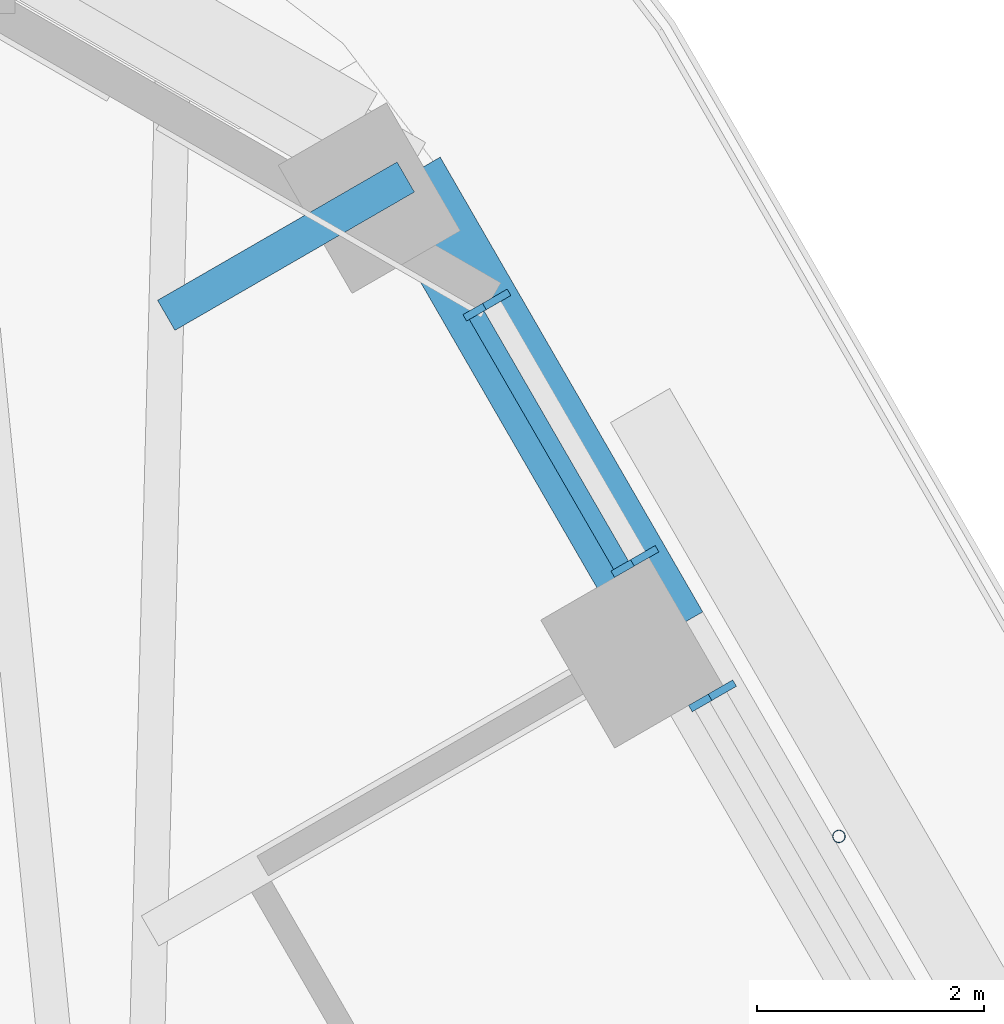
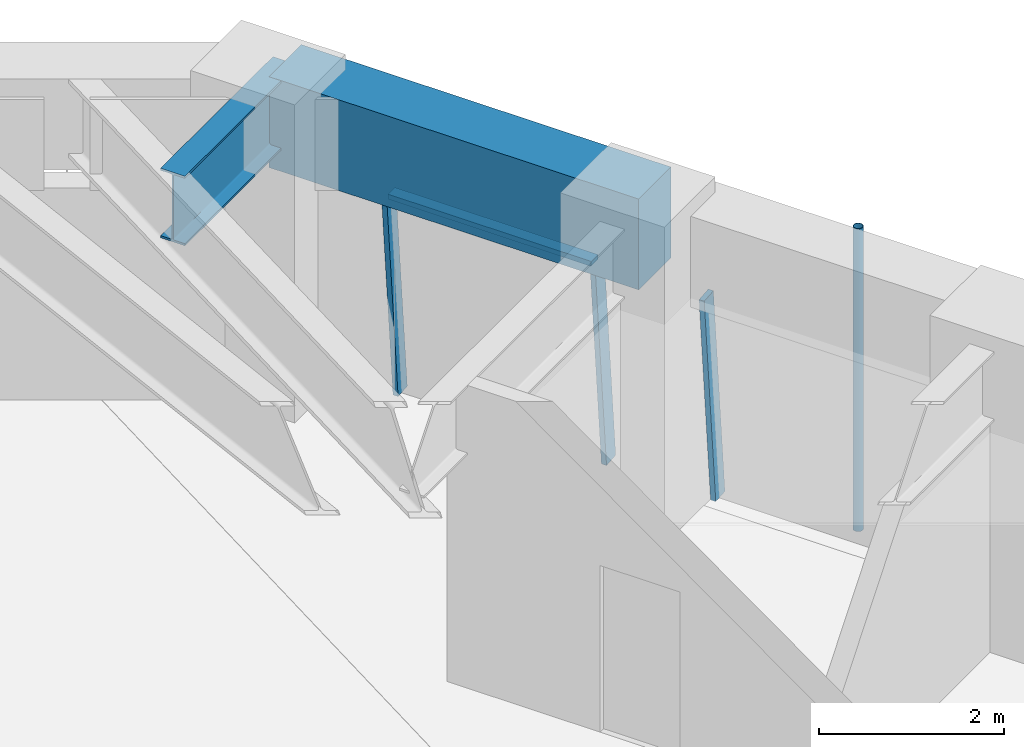
# One storey, part 12 of 20: 5 members, 2 beams, 2 elements without a shape of their own.
"""IFC4 building model written with IfcOpenShell, lengths in metres."""

from ifc_helpers import new_model, si_unit, direction, frame, origin, origin_2d, place, context, subcontext, project, spatial, rectangle, hollow_circle, i_section, extrude, material, material_profile, profile_set, type_object, element, aggregate, save


model = new_model("IFC4")

# Units and contexts
model_context = context("Model", 3, precision=1e-05, world=origin(), true_north=direction((0.0, 1.0)))
body_context = subcontext(model_context, "Body", "Model", "MODEL_VIEW")
ifc_project = project(units=[si_unit("LENGTHUNIT", "METRE"), si_unit("AREAUNIT", "SQUARE_METRE"), si_unit("VOLUMEUNIT", "CUBIC_METRE"), si_unit("PLANEANGLEUNIT", "RADIAN"), si_unit("MASSUNIT", "GRAM", prefix="KILO")], contexts=[model_context])

# Site, building, storey
site_placement = place(None, origin())
site = spatial("IfcSite", under=ifc_project, at=site_placement, CompositionType="ELEMENT")
building_placement = place(site_placement, origin())
building = spatial("IfcBuilding", under=site, at=building_placement, Name="Tarfa Lantern Tower", CompositionType="ELEMENT")
storey_placement = place(building_placement, frame((0.0, 0.0, 240.699951171875)))
storey = spatial("IfcBuildingStorey", under=building, at=storey_placement, Name="L54", CompositionType="ELEMENT", Elevation=240.699951171875)

# Curtain wall, member
ifc_material_1 = material(Name="Aluminium framed curtain wall", Category="aluminium")
curtain_wall_type = type_object("IfcCurtainWallType", Name="CW3 CANTED GLAZING HIGH ZONE 2800", PredefinedType="USERDEFINED", material=ifc_material_1)
curtain_wall_1_placement = place(storey_placement, origin())
curtain_wall_1 = element("IfcCurtainWall", 1, at=curtain_wall_1_placement, inside=storey, type_object=curtain_wall_type, Name="CW3 NE L54", ObjectType="CURTAIN WALL", PredefinedType="USERDEFINED")
ifc_material_2 = material(Name="Aluminium mullion", Category="aluminium")
ifc_material_profile_1 = material_profile(ifc_material_2, rectangle(XDim=0.06494140625, YDim=0.199951171875, at=origin_2d()), Name="AL MULLION 65x200")
ifc_profile_set_1 = profile_set([ifc_material_profile_1], Name="Aluminium mullion")
member_type_1 = type_object("IfcMemberType", Name="CWM1 MULLION 65x200", PredefinedType="MULLION", material=ifc_profile_set_1)
member_1_placement = place(storey_placement, frame((20.75048828125, 21.85888671875, 0.0), z_axis=(-0.076946055247, -0.044465440504, 0.996043236603), x_axis=(0.500342721131, -0.865827443207, 0.0)))
member_1 = element("IfcMember", 2, at=member_1_placement, type_object=member_type_1, Name="CW3 mullion 2", PredefinedType="MULLION", context=body_context, shape_type="SweptSolid", body=[
    extrude(rectangle(XDim=0.06494140625, YDim=0.199951171875, at=origin_2d()), origin(), (0.0, 0.0, 1.0), 2.811279296875),
])
aggregate(curtain_wall_1, [member_1])

# Curtain wall, members
curtain_wall_2_placement = place(storey_placement, origin())
curtain_wall_2 = element("IfcCurtainWall", 3, at=curtain_wall_2_placement, inside=storey, type_object=curtain_wall_type, Name="CW3 NE L54", ObjectType="CURTAIN WALL", PredefinedType="USERDEFINED")
member_2_placement = place(storey_placement, frame((20.068115234375, 23.041015625, 0.0), z_axis=(-0.077032386753, -0.044465143199, 0.996036576854), x_axis=(0.499919672301, -0.866071776036, 0.0)))
member_2 = element("IfcMember", 4, at=member_2_placement, type_object=member_type_1, Name="CW3 mullion 1", PredefinedType="MULLION", context=body_context, shape_type="SweptSolid", body=[
    extrude(rectangle(XDim=0.06494140625, YDim=0.199951171875, at=origin_2d()), origin(), (0.0, 0.0, 1.0), 2.811279296875),
])
member_3_placement = place(storey_placement, frame((18.76611328125, 25.296142578125, 0.0), z_axis=(-0.077032386753, -0.044465143199, 0.996036576854), x_axis=(0.499919672301, -0.866071776036, 0.0)))
member_3 = element("IfcMember", 5, at=member_3_placement, type_object=member_type_1, Name="CW3 mullion 2", PredefinedType="MULLION", context=body_context, shape_type="SweptSolid", body=[
    extrude(rectangle(XDim=0.06494140625, YDim=0.199951171875, at=origin_2d()), origin(), (0.0, 0.0, 1.0), 2.811279296875),
])
ifc_material_3 = material(Name="Aluminium transom", Category="aluminium")
ifc_material_profile_2 = material_profile(ifc_material_3, rectangle(XDim=0.14990234375, YDim=0.06494140625, at=origin_2d()), Name="AL TRANSOM 150x65")
ifc_profile_set_2 = profile_set([ifc_material_profile_2], Name="Aluminium transom")
member_type_2 = type_object("IfcMemberType", Name="CWT1 TRANSOM 150x65", PredefinedType="USERDEFINED", material=ifc_profile_set_2)
member_4_placement = place(storey_placement, frame((19.837890625, 22.945556640625, 2.767578125), z_axis=(-0.500027655771, 0.866009436129, 0.0), x_axis=(-0.866009436129, -0.500027655771, 0.0)))
member_4 = element("IfcMember", 6, at=member_4_placement, type_object=member_type_2, Name="CW3 transom 1.2", ObjectType="TRANSOM", PredefinedType="USERDEFINED", context=body_context, shape_type="SweptSolid", body=[
    extrude(rectangle(XDim=0.14990234375, YDim=0.06494140625, at=origin_2d()), origin(), (0.0, 0.0, 1.0), 2.538818359375),
])
aggregate(curtain_wall_2, [member_2, member_3, member_4])

# Beam
ifc_material_4 = material(Name="Concrete C80/95", Category="concrete")
ifc_material_profile_3 = material_profile(ifc_material_4, rectangle(XDim=0.699951171875, YDim=1.199951171875, at=origin_2d()), Name="RC 700x1200")
ifc_profile_set_3 = profile_set([ifc_material_profile_3], Name="Concrete C80/95")
beam_type_1 = type_object("IfcBeamType", Name="EB3 RC 700x1200", PredefinedType="SPANDREL", material=ifc_profile_set_3)
beam_1_placement = place(storey_placement, frame((20.25341796875, 22.360107421875, 3.400146484375), z_axis=(-0.499987836815, 0.866032426089, 0.0), x_axis=(-0.866032426089, -0.499987836815, 0.0)))
element("IfcBeam", 7, at=beam_1_placement, inside=storey, type_object=beam_type_1, Name="Edge beam NE5", PredefinedType="SPANDREL", context=body_context, shape_type="SweptSolid", body=[
    extrude(rectangle(XDim=0.699951171875, YDim=1.199951171875, at=origin_2d()), origin(), (0.0, 0.0, 1.0), 4.61865234375),
])

# Member
ifc_material_5 = material(Name="Steel S355", Category="steel")
ifc_material_profile_4 = material_profile(ifc_material_5, hollow_circle(Radius=0.05712890625, WallThickness=0.00634765625, at=origin_2d()), Name="CHS114.3x6.3")
ifc_profile_set_4 = profile_set([ifc_material_profile_4], Name="Steel S355")
member_type_3 = type_object("IfcMemberType", Name="TR1 GREEN WALL TRELLIS CHS114.3x6.3", PredefinedType="USERDEFINED", material=ifc_profile_set_4)
member_5_placement = place(storey_placement, frame((21.754638671875, 20.56005859375, 0.0), z_axis=(0.0, 0.0, 1.0), x_axis=(1.0, 0.0, 0.0)))
element("IfcMember", 8, at=member_5_placement, inside=storey, type_object=member_type_3, Name="Trellis post NE 2", ObjectType="TRELLIS", PredefinedType="USERDEFINED", context=body_context, shape_type="SweptSolid", body=[
    extrude(hollow_circle(Radius=0.05712890625, WallThickness=0.00634765625, at=origin_2d()), origin(), (0.0, 0.0, 1.0), 4.0),
])

# Beam
ifc_material_6 = material(Name="Steel S460M", Category="steel")
ifc_material_profile_5 = material_profile(ifc_material_6, i_section(OverallWidth=0.305419921875, OverallDepth=0.91845703125, WebThickness=0.017333984375, FlangeThickness=0.02783203125, FilletRadius=0.01904296875, at=origin_2d()), Name="UB914x305x253")
ifc_profile_set_5 = profile_set([ifc_material_profile_5], Name="Steel S460M")
beam_type_2 = type_object("IfcBeamType", Name="UB914x305x253", PredefinedType="BEAM", material=ifc_profile_set_5)
beam_2_placement = place(storey_placement, frame((17.944091796875, 26.360107421875, 3.540771484375), z_axis=(-0.865980009423, -0.5000786171, 0.0), x_axis=(0.5000786171, -0.865980009423, 0.0)))
element("IfcBeam", 9, at=beam_2_placement, inside=storey, type_object=beam_type_2, Name="Floor beam NE6", PredefinedType="BEAM", context=body_context, shape_type="SweptSolid", body=[
    extrude(i_section(OverallWidth=0.305419921875, OverallDepth=0.91845703125, WebThickness=0.017333984375, FlangeThickness=0.02783203125, FilletRadius=0.01904296875, at=origin_2d()), origin(), (0.0, 0.0, 1.0), 2.4326171875),
])

save(model, "model.ifc")
